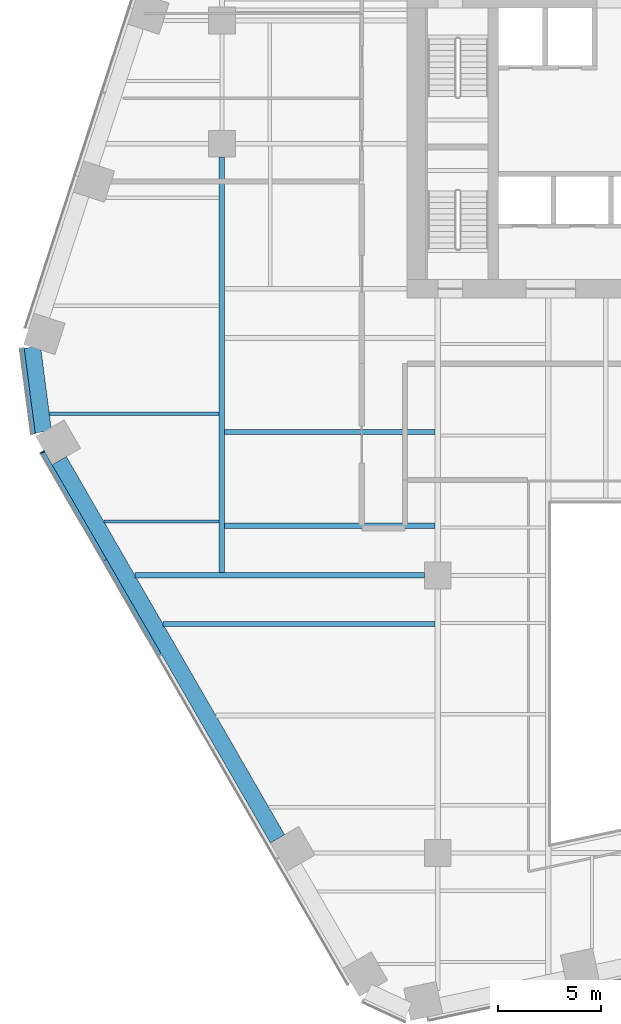
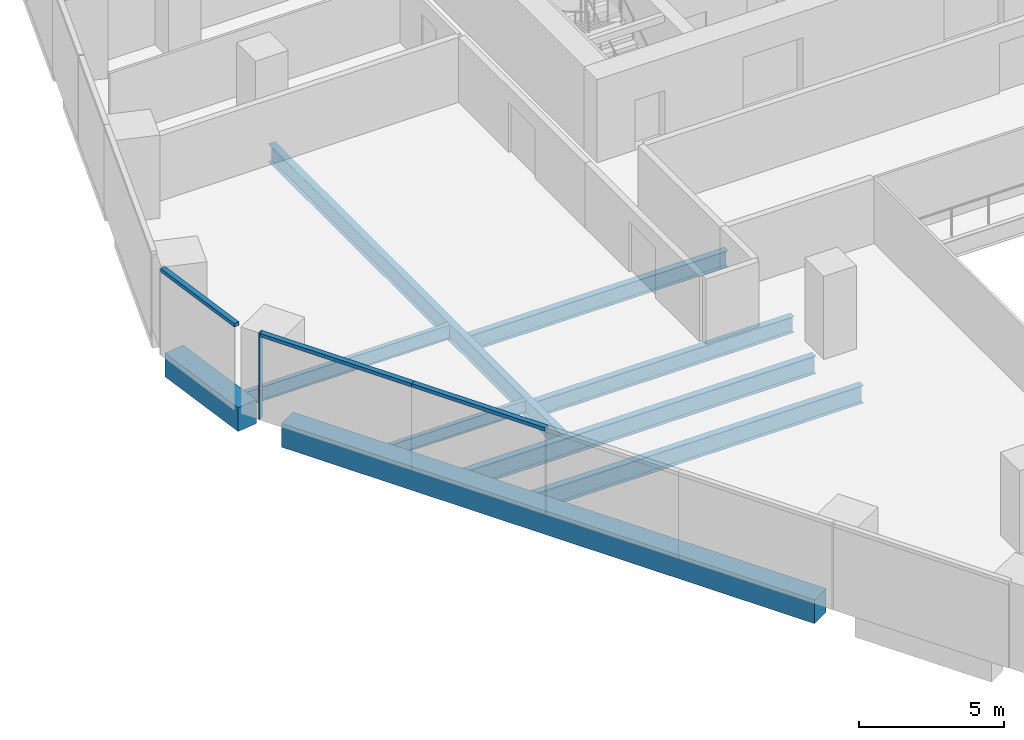
# One storey, part 3 of 19: 9 beams, 4 members, 2 elements without a shape of their own.
"""IFC4 building model written with IfcOpenShell, lengths in metres."""

from ifc_helpers import new_model, si_unit, direction, frame, origin, origin_2d, place, context, subcontext, project, spatial, rectangle, i_section, extrude, material, layer, layer_set, material_profile, profile_set, type_object, element, aggregate, save


model = new_model("IFC4")

# Units and contexts
model_context = context("Model", 3, precision=1e-05, world=origin(), true_north=direction((0.0, 1.0)))
body_context = subcontext(model_context, "Body", "Model", "MODEL_VIEW")
ifc_project = project(units=[si_unit("LENGTHUNIT", "METRE"), si_unit("AREAUNIT", "SQUARE_METRE"), si_unit("VOLUMEUNIT", "CUBIC_METRE"), si_unit("PLANEANGLEUNIT", "RADIAN"), si_unit("MASSUNIT", "GRAM", prefix="KILO")], contexts=[model_context])

# Site, building, storey
site_placement = place(None, origin())
site = spatial("IfcSite", under=ifc_project, at=site_placement, CompositionType="ELEMENT")
building_placement = place(site_placement, origin())
building = spatial("IfcBuilding", under=site, at=building_placement, Name="Isthmus Gate Tower", CompositionType="ELEMENT")
storey_placement = place(building_placement, frame((0.0, 0.0, 95.25)))
storey = spatial("IfcBuildingStorey", under=building, at=storey_placement, Name="L22", CompositionType="ELEMENT", Elevation=95.25)

# Curtain wall, member
ifc_material_1 = material(Name="Aluminium, pale champagne anodised", Category="aluminium")
ifc_layer = layer(ifc_material_1, 0.199951171875)
ifc_layer_set = layer_set([ifc_layer], Name="CW-1 UNITISED CURTAIN WALL 200 DEEP")
curtain_wall_type = type_object("IfcCurtainWallType", Name="CW-1 UNITISED CURTAIN WALL 200 DEEP", PredefinedType="NOTDEFINED", material=ifc_layer_set)
curtain_wall_1_placement = place(storey_placement, origin())
curtain_wall_1 = element("IfcCurtainWall", 1, at=curtain_wall_1_placement, inside=storey, type_object=curtain_wall_type, Name="CW-1 SW L22", PredefinedType="NOTDEFINED")
ifc_material_2 = material(Name="Aluminium, pale champagne anodised", Category="aluminium")
ifc_material_profile_1 = material_profile(ifc_material_2, rectangle(XDim=0.06005859375, YDim=0.199951171875, at=origin_2d()), Name="60x200")
ifc_profile_set_1 = profile_set([ifc_material_profile_1], Name="Aluminium, pale champagne anodised")
member_type_1 = type_object("IfcMemberType", Name="CW-1 MULLION 60 X 200", PredefinedType="MULLION", material=ifc_profile_set_1)
member_1_placement = place(storey_placement, frame((-32.7353515625, -7.500732421875, 0.0), z_axis=(0.0, 0.0, 1.0), x_axis=(0.5, -0.866025403784, 0.0)))
member_1 = element("IfcMember", 2, at=member_1_placement, type_object=member_type_1, Name="CW-1 mullion", PredefinedType="MULLION", context=body_context, shape_type="SweptSolid", body=[
    extrude(rectangle(XDim=0.06005859375, YDim=0.199951171875, at=origin_2d()), origin(), (0.0, 0.0, 1.0), 3.64990234375),
])

curtain_wall_2_placement = place(storey_placement, origin())
curtain_wall_2 = element("IfcCurtainWall", 3, at=curtain_wall_2_placement, inside=storey, type_object=curtain_wall_type, Name="CW-1 NW-SW L22", PredefinedType="NOTDEFINED")
ifc_material_3 = material(Name="Aluminium, pale champagne anodised", Category="aluminium")
ifc_material_profile_2 = material_profile(ifc_material_3, rectangle(XDim=0.199951171875, YDim=0.14990234375, at=origin_2d()), Name="200x150")
ifc_profile_set_2 = profile_set([ifc_material_profile_2], Name="Aluminium, pale champagne anodised")
member_type_2 = type_object("IfcMemberType", Name="CW-1 TRANSOM 200 X 150", PredefinedType="USERDEFINED", material=ifc_profile_set_2)
member_2_placement = place(storey_placement, frame((-33.71923828125, -2.474609375, 3.574951171875), z_axis=(0.129206893318, -0.991617657527, 0.0), x_axis=(0.991617657527, 0.129206893318, 0.0)))
member_2 = element("IfcMember", 4, at=member_2_placement, type_object=member_type_2, Name="CW-1 transom", ObjectType="TRANSOM", PredefinedType="USERDEFINED", context=body_context, shape_type="SweptSolid", body=[
    extrude(rectangle(XDim=0.199951171875, YDim=0.14990234375, at=origin_2d()), origin(), (0.0, 0.0, 1.0), 4.181640625),
])
aggregate(curtain_wall_2, [member_2])

# Member
member_3_placement = place(storey_placement, frame((-32.720458984375, -7.526611328125, 3.574951171875), z_axis=(0.500011280007, -0.866018891171, 0.0), x_axis=(0.866018891171, 0.500011280007, 0.0)))
member_3 = element("IfcMember", 5, at=member_3_placement, type_object=member_type_2, Name="CW-1 transom", ObjectType="TRANSOM", PredefinedType="USERDEFINED", context=body_context, shape_type="SweptSolid", body=[
    extrude(rectangle(XDim=0.199951171875, YDim=0.14990234375, at=origin_2d()), origin(), (0.0, 0.0, 1.0), 6.048583984375),
])

member_4_placement = place(storey_placement, frame((-29.696044921875, -12.764892578125, 3.574951171875), z_axis=(0.499997139945, -0.866027055032, 0.0), x_axis=(0.866027055032, 0.499997139945, 0.0)))
member_4 = element("IfcMember", 6, at=member_4_placement, type_object=member_type_2, Name="CW-1 transom", ObjectType="TRANSOM", PredefinedType="USERDEFINED", context=body_context, shape_type="SweptSolid", body=[
    extrude(rectangle(XDim=0.199951171875, YDim=0.14990234375, at=origin_2d()), origin(), (0.0, 0.0, 1.0), 5.30859375),
])

aggregate(curtain_wall_1, [member_1, member_3, member_4])

# Beams
ifc_material_4 = material(Name="Concrete f'c 70 MPa", Category="concrete")
ifc_material_profile_3 = material_profile(ifc_material_4, rectangle(XDim=0.800048828125, YDim=1.0, at=origin_2d()), Name="RC 800X1000")
ifc_profile_set_3 = profile_set([ifc_material_profile_3], Name="Concrete f'c 70 MPa")
beam_type_1 = type_object("IfcBeamType", Name="RC SPANDREL 800 X 1000", PredefinedType="SPANDREL", material=ifc_profile_set_3)
beam_1_placement = place(storey_placement, frame((-21.300048828125, -26.30712890625, -0.5), z_axis=(-0.499997139945, 0.866027055032, 0.0), x_axis=(-0.866027055032, -0.499997139945, 0.0)))
element("IfcBeam", 7, at=beam_1_placement, inside=storey, type_object=beam_type_1, Name="str-spandrel-L22-16", PredefinedType="SPANDREL", context=body_context, shape_type="SweptSolid", body=[
    extrude(rectangle(XDim=0.800048828125, YDim=1.0, at=origin_2d()), origin(), (0.0, 0.0, 1.0), 21.234375),
])
beam_2_placement = place(storey_placement, frame((-32.6884765625, -6.515380859375, -0.5), z_axis=(-0.129170777359, 0.991622362735, 0.0), x_axis=(-0.991622362735, -0.129170777359, 0.0)))
element("IfcBeam", 8, at=beam_2_placement, inside=storey, type_object=beam_type_1, Name="str-spandrel-L22-17", PredefinedType="SPANDREL", context=body_context, shape_type="SweptSolid", body=[
    extrude(rectangle(XDim=0.800048828125, YDim=1.0, at=origin_2d()), origin(), (0.0, 0.0, 1.0), 4.15234375),
])
ifc_material_5 = material(Name="Structural steel ASTM A992 Gr 50", Category="steel")
ifc_material_profile_4 = material_profile(ifc_material_5, i_section(OverallWidth=0.1650390625, OverallDepth=0.52392578125, WebThickness=0.009521484375, FlangeThickness=0.010986328125, at=origin_2d()), Name="W21X44")
ifc_profile_set_4 = profile_set([ifc_material_profile_4], Name="Structural steel ASTM A992 Gr 50")
beam_type_2 = type_object("IfcBeamType", Name="STEEL FLOOR BEAM W21X44", PredefinedType="JOIST", material=ifc_profile_set_4)
beam_3_placement = place(storey_placement, frame((-29.748046875, -10.875, -0.411865234375), z_axis=(1.0, 0.0, 0.0), x_axis=(0.0, 1.0, 0.0)))
element("IfcBeam", 9, at=beam_3_placement, inside=storey, type_object=beam_type_2, Name="str-beam-L22-00-00", PredefinedType="JOIST", context=body_context, shape_type="SweptSolid", body=[
    extrude(i_section(OverallWidth=0.1650390625, OverallDepth=0.52392578125, WebThickness=0.009521484375, FlangeThickness=0.010986328125, at=origin_2d()), origin(), (0.0, 0.0, 1.0), 5.61474609375),
])
ifc_material_6 = material(Name="Structural steel ASTM A992 Gr 50", Category="steel")
ifc_material_profile_5 = material_profile(ifc_material_6, i_section(OverallWidth=0.177734375, OverallDepth=0.60009765625, WebThickness=0.009521484375, FlangeThickness=0.0126953125, at=origin_2d()), Name="W24X55")
ifc_profile_set_5 = profile_set([ifc_material_profile_5], Name="Structural steel ASTM A992 Gr 50")
beam_type_3 = type_object("IfcBeamType", Name="STEEL FLOOR BEAM W24X55", PredefinedType="JOIST", material=ifc_profile_set_5)
beam_4_placement = place(storey_placement, frame((-32.401123046875, -5.625, -0.449951171875), z_axis=(1.0, 0.0, 0.0), x_axis=(0.0, 1.0, 0.0)))
element("IfcBeam", 10, at=beam_4_placement, inside=storey, type_object=beam_type_3, Name="str-beam-L22-00-01", PredefinedType="JOIST", context=body_context, shape_type="SweptSolid", body=[
    extrude(i_section(OverallWidth=0.177734375, OverallDepth=0.60009765625, WebThickness=0.009521484375, FlangeThickness=0.0126953125, at=origin_2d()), origin(), (0.0, 0.0, 1.0), 8.267822265625),
])
ifc_material_7 = material(Name="Structural steel ASTM A992 Gr 50", Category="steel")
ifc_material_profile_6 = material_profile(ifc_material_7, i_section(OverallWidth=0.25390625, OverallDepth=0.679443359375, WebThickness=0.010986328125, FlangeThickness=0.015869140625, at=origin_2d()), Name="W27X84")
ifc_profile_set_6 = profile_set([ifc_material_profile_6], Name="Structural steel ASTM A992 Gr 50")
beam_type_4 = type_object("IfcBeamType", Name="STEEL FLOOR BEAM W27X84", PredefinedType="JOIST", material=ifc_profile_set_6)
for number, where, z_axis, x_axis, name in (
    (11, (-23.86669921875, -11.0830078125, -0.48974609375), (1.0, 0.0, 0.0), (0.0, 1.0, 0.0), "str-beam-L22-08-00"),
    (12, (-23.86669921875, -6.515380859375, -0.48974609375), (1.0, 0.0, 0.0), (0.0, 1.0, 0.0), "str-beam-L22-08-01"),
):
    element("IfcBeam", number, at=place(storey_placement, frame(where, z_axis=z_axis, x_axis=x_axis)), inside=storey, type_object=beam_type_4, Name=name, PredefinedType="JOIST", context=body_context, shape_type="SweptSolid", body=[
        extrude(i_section(OverallWidth=0.25390625, OverallDepth=0.679443359375, WebThickness=0.010986328125, FlangeThickness=0.015869140625, at=origin_2d()), origin(), (0.0, 0.0, 1.0), 10.23486328125),
    ])
ifc_material_8 = material(Name="Structural steel ASTM A992 Gr 50", Category="steel")
ifc_material_profile_7 = material_profile(ifc_material_8, i_section(OverallWidth=0.263427734375, OverallDepth=0.749267578125, WebThickness=0.0126953125, FlangeThickness=0.015869140625, at=origin_2d()), Name="W30X90")
ifc_profile_set_7 = profile_set([ifc_material_profile_7], Name="Structural steel ASTM A992 Gr 50")
beam_type_5 = type_object("IfcBeamType", Name="STEEL FLOOR BEAM W30X90", PredefinedType="JOIST", material=ifc_profile_set_7)
beam_5_placement = place(storey_placement, frame((-26.869140625, -15.861083984375, -0.524658203125), z_axis=(1.0, 0.0, 0.0), x_axis=(0.0, 1.0, 0.0)))
element("IfcBeam", 13, at=beam_5_placement, inside=storey, type_object=beam_type_5, Name="str-beam-L22-06-02", PredefinedType="JOIST", context=body_context, shape_type="SweptSolid", body=[
    extrude(i_section(OverallWidth=0.263427734375, OverallDepth=0.749267578125, WebThickness=0.0126953125, FlangeThickness=0.015869140625, at=origin_2d()), origin(), (0.0, 0.0, 1.0), 13.2373046875),
])
ifc_material_9 = material(Name="Structural steel ASTM A992 Gr 50", Category="steel")
ifc_material_profile_8 = material_profile(ifc_material_9, i_section(OverallWidth=0.2666015625, OverallDepth=0.7587890625, WebThickness=0.014404296875, FlangeThickness=0.01904296875, at=origin_2d()), Name="W30X108")
ifc_profile_set_8 = profile_set([ifc_material_profile_8], Name="Structural steel ASTM A992 Gr 50")
beam_type_6 = type_object("IfcBeamType", Name="STEEL GIRDER W30X108", PredefinedType="BEAM", material=ifc_profile_set_8)
beam_6_placement = place(storey_placement, frame((-28.232421875, -13.5, -0.529296875), z_axis=(1.0, 0.0, 0.0), x_axis=(0.0, 1.0, 0.0)))
element("IfcBeam", 14, at=beam_6_placement, inside=storey, type_object=beam_type_6, Name="str-girder-L22-05", PredefinedType="BEAM", context=body_context, shape_type="SweptSolid", body=[
    extrude(i_section(OverallWidth=0.2666015625, OverallDepth=0.7587890625, WebThickness=0.014404296875, FlangeThickness=0.01904296875, at=origin_2d()), origin(), (0.0, 0.0, 1.0), 14.08251953125),
])
beam_7_placement = place(storey_placement, frame((-24.0, -13.36669921875, -0.529296875), z_axis=(0.0, 1.0, 0.0), x_axis=(-1.0, 0.0, 0.0)))
element("IfcBeam", 15, at=beam_7_placement, inside=storey, type_object=beam_type_6, Name="str-girder-L22-21", PredefinedType="BEAM", context=body_context, shape_type="SweptSolid", body=[
    extrude(i_section(OverallWidth=0.2666015625, OverallDepth=0.7587890625, WebThickness=0.014404296875, FlangeThickness=0.01904296875, at=origin_2d()), origin(), (0.0, 0.0, 1.0), 20.216796875),
])

save(model, "model.ifc")
